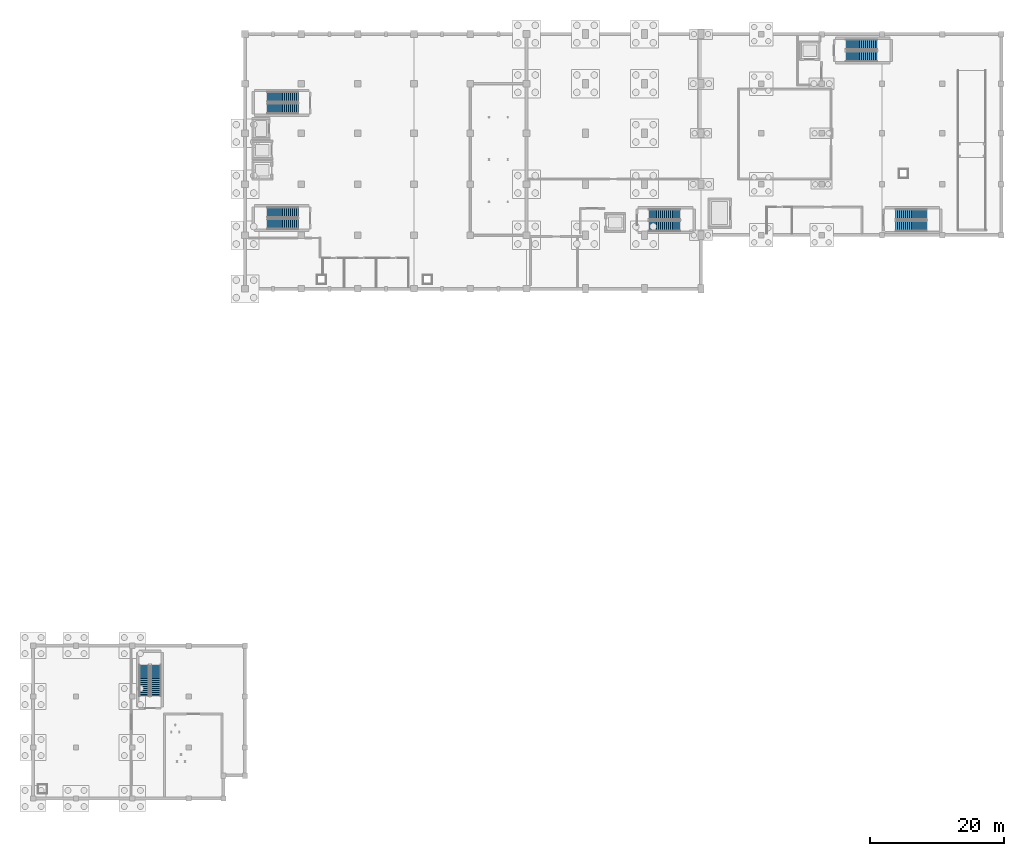
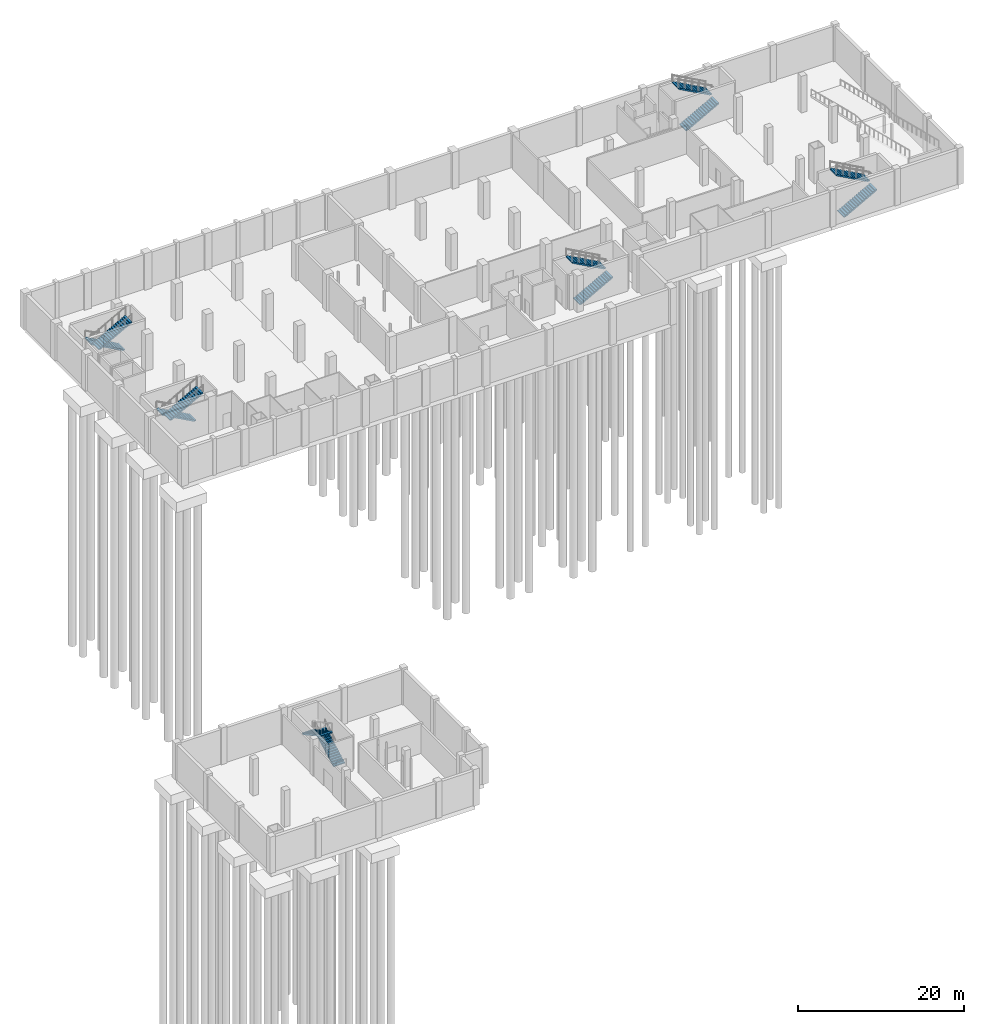
# One storey, part 15 of 20: 12 stair flights, 6 elements without a shape of their own.
"""IFC4 building model written with IfcOpenShell, lengths in metres."""

from ifc_helpers import new_model, si_unit, direction, frame, origin, place, context, subcontext, project, spatial, polyline, outline, extrude, material, layer, layer_set, type_object, element, aggregate, save


model = new_model("IFC4")

# Units and contexts
model_context = context("Model", 3, precision=1e-05, world=origin(), true_north=direction((0.0, 1.0)))
body_context = subcontext(model_context, "Body", "Model", "MODEL_VIEW")
ifc_project = project(units=[si_unit("LENGTHUNIT", "METRE"), si_unit("AREAUNIT", "SQUARE_METRE"), si_unit("VOLUMEUNIT", "CUBIC_METRE"), si_unit("PLANEANGLEUNIT", "RADIAN"), si_unit("MASSUNIT", "GRAM", prefix="KILO")], contexts=[model_context])

# Site, building, storey
site_placement = place(None, origin())
site = spatial("IfcSite", under=ifc_project, at=site_placement, CompositionType="ELEMENT")
building_placement = place(site_placement, origin())
building = spatial("IfcBuilding", under=site, at=building_placement, Name="Shengluoqiao Park Theatre", CompositionType="ELEMENT")
storey_placement = place(building_placement, frame((0.0, 0.0, -5.39990234375)))
storey = spatial("IfcBuildingStorey", under=building, at=storey_placement, Name="B1", CompositionType="ELEMENT", Elevation=-5.39990234375)

# Stair, stair flights
ifc_material = material(Name="Concrete C40", Category="concrete")
stair_type = type_object("IfcStairType", Name="INT-STR-CORE", PredefinedType="HALF_TURN_STAIR", material=ifc_material)
stair_1_placement = place(storey_placement, origin())
stair_1 = element("IfcStair", 1, at=stair_1_placement, inside=storey, type_object=stair_type, Name="B1 Auditorium South-West Escape Stair 02", PredefinedType="HALF_TURN_STAIR")
ifc_layer = layer(ifc_material, 0.159912109375, Name="Concrete C40")
ifc_layer_set = layer_set([ifc_layer], Name="Concrete C40")
stair_flight_type = type_object("IfcStairFlightType", Name="INT-SFL-156", PredefinedType="STRAIGHT", material=ifc_layer_set)
stair_flight_1_placement = place(storey_placement, frame((52.35009765625, 87.419921875, 0.0), z_axis=(0.0, 0.0, 1.0), x_axis=(-1.0, 0.0, 0.0)))
stair_flight_1 = element("IfcStairFlight", 2, at=stair_flight_1_placement, type_object=stair_flight_type, Name="ST-02 flight 1", NumberOfRisers=17, NumberOfTreads=16, PredefinedType="STRAIGHT", RiserHeight=0.158823529, TreadLength=0.29, context=body_context, shape_type="SweptSolid", body=[
    extrude(outline(polyline([(0.0, 0.0), (0.0, 0.158935546875), (0.2900390625, 0.158935546875), (0.2900390625, 0.317626953125), (0.580078125, 0.317626953125), (0.580078125, 0.4765625), (0.8701171875, 0.4765625), (0.8701171875, 0.63525390625), (1.159912109375, 0.63525390625), (1.159912109375, 0.794189453125), (1.449951171875, 0.794189453125), (1.449951171875, 0.952880859375), (1.739990234375, 0.952880859375), (1.739990234375, 1.11181640625), (2.030029296875, 1.11181640625), (2.030029296875, 1.2705078125), (2.320068359375, 1.2705078125), (2.320068359375, 1.429443359375), (2.610107421875, 1.429443359375), (2.610107421875, 1.588134765625), (2.89990234375, 1.588134765625), (2.89990234375, 1.7470703125), (3.18994140625, 1.7470703125), (3.18994140625, 1.90576171875), (3.47998046875, 1.90576171875), (3.47998046875, 2.064697265625), (3.77001953125, 2.064697265625), (3.77001953125, 2.2236328125), (4.06005859375, 2.2236328125), (4.06005859375, 2.38232421875), (4.35009765625, 2.38232421875), (4.35009765625, 2.541259765625), (4.639892578125, 2.541259765625), (4.639892578125, 2.699951171875), (4.639892578125, 2.370361328125), (0.31201171875, 0.0), (0.0, 0.0)])), frame((0.0, 0.780029296875, 0.0), z_axis=(0.0, -1.0, 0.0), x_axis=(1.0, 0.0, 0.0)), (0.0, 0.0, 1.0), 1.56005859375),
])
stair_flight_2_placement = place(storey_placement, frame((47.7099609375, 85.679931640625, 2.699951171875), z_axis=(0.0, 0.0, 1.0), x_axis=(1.0, 0.0, 0.0)))
stair_flight_2 = element("IfcStairFlight", 3, at=stair_flight_2_placement, type_object=stair_flight_type, Name="ST-02 flight 2", NumberOfRisers=17, NumberOfTreads=16, PredefinedType="STRAIGHT", RiserHeight=0.158823529, TreadLength=0.29, context=body_context, shape_type="SweptSolid", body=[
    extrude(outline(polyline([(0.0, 0.0), (0.0, 0.158935546875), (0.2900390625, 0.158935546875), (0.2900390625, 0.317626953125), (0.580078125, 0.317626953125), (0.580078125, 0.4765625), (0.8701171875, 0.4765625), (0.8701171875, 0.63525390625), (1.159912109375, 0.63525390625), (1.159912109375, 0.794189453125), (1.449951171875, 0.794189453125), (1.449951171875, 0.952880859375), (1.739990234375, 0.952880859375), (1.739990234375, 1.11181640625), (2.030029296875, 1.11181640625), (2.030029296875, 1.2705078125), (2.320068359375, 1.2705078125), (2.320068359375, 1.429443359375), (2.610107421875, 1.429443359375), (2.610107421875, 1.588134765625), (2.89990234375, 1.588134765625), (2.89990234375, 1.7470703125), (3.18994140625, 1.7470703125), (3.18994140625, 1.90576171875), (3.47998046875, 1.90576171875), (3.47998046875, 2.064697265625), (3.77001953125, 2.064697265625), (3.77001953125, 2.2236328125), (4.06005859375, 2.2236328125), (4.06005859375, 2.38232421875), (4.35009765625, 2.38232421875), (4.35009765625, 2.541259765625), (4.639892578125, 2.541259765625), (4.639892578125, 2.699951171875), (4.639892578125, 2.370361328125), (0.31201171875, 0.0), (0.0, 0.0)])), frame((0.0, 0.780029296875, 0.0), z_axis=(0.0, -1.0, 0.0), x_axis=(1.0, 0.0, 0.0)), (0.0, 0.0, 1.0), 1.56005859375),
])
aggregate(stair_1, [stair_flight_1, stair_flight_2])

stair_2_placement = place(storey_placement, origin())
stair_2 = element("IfcStair", 4, at=stair_2_placement, inside=storey, type_object=stair_type, Name="B1 Auditorium North-West Escape Stair 03", PredefinedType="HALF_TURN_STAIR")
stair_flight_3_placement = place(storey_placement, frame((52.35009765625, 104.6201171875, 0.0), z_axis=(0.0, 0.0, 1.0), x_axis=(-1.0, 0.0, 0.0)))
stair_flight_3 = element("IfcStairFlight", 5, at=stair_flight_3_placement, type_object=stair_flight_type, Name="ST-03 flight 1", NumberOfRisers=17, NumberOfTreads=16, PredefinedType="STRAIGHT", RiserHeight=0.158823529, TreadLength=0.29, context=body_context, shape_type="SweptSolid", body=[
    extrude(outline(polyline([(0.0, 0.0), (0.0, 0.158935546875), (0.2900390625, 0.158935546875), (0.2900390625, 0.317626953125), (0.580078125, 0.317626953125), (0.580078125, 0.4765625), (0.8701171875, 0.4765625), (0.8701171875, 0.63525390625), (1.159912109375, 0.63525390625), (1.159912109375, 0.794189453125), (1.449951171875, 0.794189453125), (1.449951171875, 0.952880859375), (1.739990234375, 0.952880859375), (1.739990234375, 1.11181640625), (2.030029296875, 1.11181640625), (2.030029296875, 1.2705078125), (2.320068359375, 1.2705078125), (2.320068359375, 1.429443359375), (2.610107421875, 1.429443359375), (2.610107421875, 1.588134765625), (2.89990234375, 1.588134765625), (2.89990234375, 1.7470703125), (3.18994140625, 1.7470703125), (3.18994140625, 1.90576171875), (3.47998046875, 1.90576171875), (3.47998046875, 2.064697265625), (3.77001953125, 2.064697265625), (3.77001953125, 2.2236328125), (4.06005859375, 2.2236328125), (4.06005859375, 2.38232421875), (4.35009765625, 2.38232421875), (4.35009765625, 2.541259765625), (4.639892578125, 2.541259765625), (4.639892578125, 2.699951171875), (4.639892578125, 2.370361328125), (0.31201171875, 0.0), (0.0, 0.0)])), frame((0.0, 0.780029296875, 0.0), z_axis=(0.0, -1.0, 0.0), x_axis=(1.0, 0.0, 0.0)), (0.0, 0.0, 1.0), 1.56005859375),
])
stair_flight_4_placement = place(storey_placement, frame((47.7099609375, 102.8798828125, 2.699951171875), z_axis=(0.0, 0.0, 1.0), x_axis=(1.0, 0.0, 0.0)))
stair_flight_4 = element("IfcStairFlight", 6, at=stair_flight_4_placement, type_object=stair_flight_type, Name="ST-03 flight 2", NumberOfRisers=17, NumberOfTreads=16, PredefinedType="STRAIGHT", RiserHeight=0.158823529, TreadLength=0.29, context=body_context, shape_type="SweptSolid", body=[
    extrude(outline(polyline([(0.0, 0.0), (0.0, 0.158935546875), (0.2900390625, 0.158935546875), (0.2900390625, 0.317626953125), (0.580078125, 0.317626953125), (0.580078125, 0.4765625), (0.8701171875, 0.4765625), (0.8701171875, 0.63525390625), (1.159912109375, 0.63525390625), (1.159912109375, 0.794189453125), (1.449951171875, 0.794189453125), (1.449951171875, 0.952880859375), (1.739990234375, 0.952880859375), (1.739990234375, 1.11181640625), (2.030029296875, 1.11181640625), (2.030029296875, 1.2705078125), (2.320068359375, 1.2705078125), (2.320068359375, 1.429443359375), (2.610107421875, 1.429443359375), (2.610107421875, 1.588134765625), (2.89990234375, 1.588134765625), (2.89990234375, 1.7470703125), (3.18994140625, 1.7470703125), (3.18994140625, 1.90576171875), (3.47998046875, 1.90576171875), (3.47998046875, 2.064697265625), (3.77001953125, 2.064697265625), (3.77001953125, 2.2236328125), (4.06005859375, 2.2236328125), (4.06005859375, 2.38232421875), (4.35009765625, 2.38232421875), (4.35009765625, 2.541259765625), (4.639892578125, 2.541259765625), (4.639892578125, 2.699951171875), (4.639892578125, 2.370361328125), (0.31201171875, 0.0), (0.0, 0.0)])), frame((0.0, 0.780029296875, 0.0), z_axis=(0.0, -1.0, 0.0), x_axis=(1.0, 0.0, 0.0)), (0.0, 0.0, 1.0), 1.56005859375),
])
aggregate(stair_2, [stair_flight_3, stair_flight_4])

stair_3_placement = place(storey_placement, origin())
stair_3 = element("IfcStair", 7, at=stair_3_placement, inside=storey, type_object=stair_type, Name="B1 Studio and Black-Box Escape Stair 04", PredefinedType="HALF_TURN_STAIR")
stair_flight_5_placement = place(storey_placement, frame((31.1201171875, 15.25, 0.0), z_axis=(0.0, 0.0, 1.0), x_axis=(0.0, 1.0, 0.0)))
stair_flight_5 = element("IfcStairFlight", 8, at=stair_flight_5_placement, type_object=stair_flight_type, Name="ST-04 flight 1", NumberOfRisers=17, NumberOfTreads=16, PredefinedType="STRAIGHT", RiserHeight=0.158823529, TreadLength=0.29, context=body_context, shape_type="SweptSolid", body=[
    extrude(outline(polyline([(0.0, 0.0), (0.0, 0.158935546875), (0.2900390625, 0.158935546875), (0.2900390625, 0.317626953125), (0.580078125, 0.317626953125), (0.580078125, 0.4765625), (0.8701171875, 0.4765625), (0.8701171875, 0.63525390625), (1.159912109375, 0.63525390625), (1.159912109375, 0.794189453125), (1.449951171875, 0.794189453125), (1.449951171875, 0.952880859375), (1.739990234375, 0.952880859375), (1.739990234375, 1.11181640625), (2.030029296875, 1.11181640625), (2.030029296875, 1.2705078125), (2.320068359375, 1.2705078125), (2.320068359375, 1.429443359375), (2.610107421875, 1.429443359375), (2.610107421875, 1.588134765625), (2.89990234375, 1.588134765625), (2.89990234375, 1.7470703125), (3.18994140625, 1.7470703125), (3.18994140625, 1.90576171875), (3.47998046875, 1.90576171875), (3.47998046875, 2.064697265625), (3.77001953125, 2.064697265625), (3.77001953125, 2.2236328125), (4.06005859375, 2.2236328125), (4.06005859375, 2.38232421875), (4.35009765625, 2.38232421875), (4.35009765625, 2.541259765625), (4.639892578125, 2.541259765625), (4.639892578125, 2.699951171875), (4.639892578125, 2.370361328125), (0.31201171875, 0.0), (0.0, 0.0)])), frame((0.0, 0.780029296875, 0.0), z_axis=(0.0, -1.0, 0.0), x_axis=(1.0, 0.0, 0.0)), (0.0, 0.0, 1.0), 1.56005859375),
])
stair_flight_6_placement = place(storey_placement, frame((29.3798828125, 19.889892578125, 2.699951171875), z_axis=(0.0, 0.0, 1.0), x_axis=(0.0, -1.0, 0.0)))
stair_flight_6 = element("IfcStairFlight", 9, at=stair_flight_6_placement, type_object=stair_flight_type, Name="ST-04 flight 2", NumberOfRisers=17, NumberOfTreads=16, PredefinedType="STRAIGHT", RiserHeight=0.158823529, TreadLength=0.29, context=body_context, shape_type="SweptSolid", body=[
    extrude(outline(polyline([(0.0, 0.0), (0.0, 0.158935546875), (0.2900390625, 0.158935546875), (0.2900390625, 0.317626953125), (0.580078125, 0.317626953125), (0.580078125, 0.4765625), (0.8701171875, 0.4765625), (0.8701171875, 0.63525390625), (1.159912109375, 0.63525390625), (1.159912109375, 0.794189453125), (1.449951171875, 0.794189453125), (1.449951171875, 0.952880859375), (1.739990234375, 0.952880859375), (1.739990234375, 1.11181640625), (2.030029296875, 1.11181640625), (2.030029296875, 1.2705078125), (2.320068359375, 1.2705078125), (2.320068359375, 1.429443359375), (2.610107421875, 1.429443359375), (2.610107421875, 1.588134765625), (2.89990234375, 1.588134765625), (2.89990234375, 1.7470703125), (3.18994140625, 1.7470703125), (3.18994140625, 1.90576171875), (3.47998046875, 1.90576171875), (3.47998046875, 2.064697265625), (3.77001953125, 2.064697265625), (3.77001953125, 2.2236328125), (4.06005859375, 2.2236328125), (4.06005859375, 2.38232421875), (4.35009765625, 2.38232421875), (4.35009765625, 2.541259765625), (4.639892578125, 2.541259765625), (4.639892578125, 2.699951171875), (4.639892578125, 2.370361328125), (0.31201171875, 0.0), (0.0, 0.0)])), frame((0.0, 0.780029296875, 0.0), z_axis=(0.0, -1.0, 0.0), x_axis=(1.0, 0.0, 0.0)), (0.0, 0.0, 1.0), 1.56005859375),
])
aggregate(stair_3, [stair_flight_5, stair_flight_6])

stair_4_placement = place(storey_placement, origin())
stair_4 = element("IfcStair", 10, at=stair_4_placement, inside=storey, type_object=stair_type, Name="B1 Stage and Fly Tower Escape Stair 05", PredefinedType="HALF_TURN_STAIR")
stair_flight_7_placement = place(storey_placement, frame((104.64990234375, 85.3798828125, 0.0), z_axis=(0.0, 0.0, 1.0), x_axis=(1.0, 0.0, 0.0)))
stair_flight_7 = element("IfcStairFlight", 11, at=stair_flight_7_placement, type_object=stair_flight_type, Name="ST-05 flight 1", NumberOfRisers=17, NumberOfTreads=16, PredefinedType="STRAIGHT", RiserHeight=0.158823529, TreadLength=0.29, context=body_context, shape_type="SweptSolid", body=[
    extrude(outline(polyline([(0.0, 0.0), (0.0, 0.158935546875), (0.2900390625, 0.158935546875), (0.2900390625, 0.317626953125), (0.580078125, 0.317626953125), (0.580078125, 0.4765625), (0.8701171875, 0.4765625), (0.8701171875, 0.63525390625), (1.159912109375, 0.63525390625), (1.159912109375, 0.794189453125), (1.449951171875, 0.794189453125), (1.449951171875, 0.952880859375), (1.739990234375, 0.952880859375), (1.739990234375, 1.11181640625), (2.030029296875, 1.11181640625), (2.030029296875, 1.2705078125), (2.320068359375, 1.2705078125), (2.320068359375, 1.429443359375), (2.610107421875, 1.429443359375), (2.610107421875, 1.588134765625), (2.89990234375, 1.588134765625), (2.89990234375, 1.7470703125), (3.18994140625, 1.7470703125), (3.18994140625, 1.90576171875), (3.47998046875, 1.90576171875), (3.47998046875, 2.064697265625), (3.77001953125, 2.064697265625), (3.77001953125, 2.2236328125), (4.06005859375, 2.2236328125), (4.06005859375, 2.38232421875), (4.35009765625, 2.38232421875), (4.35009765625, 2.541259765625), (4.639892578125, 2.541259765625), (4.639892578125, 2.699951171875), (4.639892578125, 2.370361328125), (0.31201171875, 0.0), (0.0, 0.0)])), frame((0.0, 0.780029296875, 0.0), z_axis=(0.0, -1.0, 0.0), x_axis=(1.0, 0.0, 0.0)), (0.0, 0.0, 1.0), 1.56005859375),
])
stair_flight_8_placement = place(storey_placement, frame((109.2900390625, 87.1201171875, 2.699951171875), z_axis=(0.0, 0.0, 1.0), x_axis=(-1.0, 0.0, 0.0)))
stair_flight_8 = element("IfcStairFlight", 12, at=stair_flight_8_placement, type_object=stair_flight_type, Name="ST-05 flight 2", NumberOfRisers=17, NumberOfTreads=16, PredefinedType="STRAIGHT", RiserHeight=0.158823529, TreadLength=0.29, context=body_context, shape_type="SweptSolid", body=[
    extrude(outline(polyline([(0.0, 0.0), (0.0, 0.158935546875), (0.2900390625, 0.158935546875), (0.2900390625, 0.317626953125), (0.580078125, 0.317626953125), (0.580078125, 0.4765625), (0.8701171875, 0.4765625), (0.8701171875, 0.63525390625), (1.159912109375, 0.63525390625), (1.159912109375, 0.794189453125), (1.449951171875, 0.794189453125), (1.449951171875, 0.952880859375), (1.739990234375, 0.952880859375), (1.739990234375, 1.11181640625), (2.030029296875, 1.11181640625), (2.030029296875, 1.2705078125), (2.320068359375, 1.2705078125), (2.320068359375, 1.429443359375), (2.610107421875, 1.429443359375), (2.610107421875, 1.588134765625), (2.89990234375, 1.588134765625), (2.89990234375, 1.7470703125), (3.18994140625, 1.7470703125), (3.18994140625, 1.90576171875), (3.47998046875, 1.90576171875), (3.47998046875, 2.064697265625), (3.77001953125, 2.064697265625), (3.77001953125, 2.2236328125), (4.06005859375, 2.2236328125), (4.06005859375, 2.38232421875), (4.35009765625, 2.38232421875), (4.35009765625, 2.541259765625), (4.639892578125, 2.541259765625), (4.639892578125, 2.699951171875), (4.639892578125, 2.370361328125), (0.31201171875, 0.0), (0.0, 0.0)])), frame((0.0, 0.780029296875, 0.0), z_axis=(0.0, -1.0, 0.0), x_axis=(1.0, 0.0, 0.0)), (0.0, 0.0, 1.0), 1.56005859375),
])
aggregate(stair_4, [stair_flight_7, stair_flight_8])

stair_5_placement = place(storey_placement, origin())
stair_5 = element("IfcStair", 13, at=stair_5_placement, inside=storey, type_object=stair_type, Name="B1 Backstage and Workshop Escape Stair 06", PredefinedType="HALF_TURN_STAIR")
stair_flight_9_placement = place(storey_placement, frame((134.050048828125, 110.679931640625, 0.0), z_axis=(0.0, 0.0, 1.0), x_axis=(1.0, 0.0, 0.0)))
stair_flight_9 = element("IfcStairFlight", 14, at=stair_flight_9_placement, type_object=stair_flight_type, Name="ST-06 flight 1", NumberOfRisers=17, NumberOfTreads=16, PredefinedType="STRAIGHT", RiserHeight=0.158823529, TreadLength=0.29, context=body_context, shape_type="SweptSolid", body=[
    extrude(outline(polyline([(0.0, 0.0), (0.0, 0.158935546875), (0.2900390625, 0.158935546875), (0.2900390625, 0.317626953125), (0.580078125, 0.317626953125), (0.580078125, 0.4765625), (0.8701171875, 0.4765625), (0.8701171875, 0.63525390625), (1.159912109375, 0.63525390625), (1.159912109375, 0.794189453125), (1.449951171875, 0.794189453125), (1.449951171875, 0.952880859375), (1.739990234375, 0.952880859375), (1.739990234375, 1.11181640625), (2.030029296875, 1.11181640625), (2.030029296875, 1.2705078125), (2.320068359375, 1.2705078125), (2.320068359375, 1.429443359375), (2.610107421875, 1.429443359375), (2.610107421875, 1.588134765625), (2.89990234375, 1.588134765625), (2.89990234375, 1.7470703125), (3.18994140625, 1.7470703125), (3.18994140625, 1.90576171875), (3.47998046875, 1.90576171875), (3.47998046875, 2.064697265625), (3.77001953125, 2.064697265625), (3.77001953125, 2.2236328125), (4.06005859375, 2.2236328125), (4.06005859375, 2.38232421875), (4.35009765625, 2.38232421875), (4.35009765625, 2.541259765625), (4.639892578125, 2.541259765625), (4.639892578125, 2.699951171875), (4.639892578125, 2.370361328125), (0.31201171875, 0.0), (0.0, 0.0)])), frame((0.0, 0.780029296875, 0.0), z_axis=(0.0, -1.0, 0.0), x_axis=(1.0, 0.0, 0.0)), (0.0, 0.0, 1.0), 1.56005859375),
])
stair_flight_10_placement = place(storey_placement, frame((138.68994140625, 112.419921875, 2.699951171875), z_axis=(0.0, 0.0, 1.0), x_axis=(-1.0, 0.0, 0.0)))
stair_flight_10 = element("IfcStairFlight", 15, at=stair_flight_10_placement, type_object=stair_flight_type, Name="ST-06 flight 2", NumberOfRisers=17, NumberOfTreads=16, PredefinedType="STRAIGHT", RiserHeight=0.158823529, TreadLength=0.29, context=body_context, shape_type="SweptSolid", body=[
    extrude(outline(polyline([(0.0, 0.0), (0.0, 0.158935546875), (0.2900390625, 0.158935546875), (0.2900390625, 0.317626953125), (0.580078125, 0.317626953125), (0.580078125, 0.4765625), (0.8701171875, 0.4765625), (0.8701171875, 0.63525390625), (1.159912109375, 0.63525390625), (1.159912109375, 0.794189453125), (1.449951171875, 0.794189453125), (1.449951171875, 0.952880859375), (1.739990234375, 0.952880859375), (1.739990234375, 1.11181640625), (2.030029296875, 1.11181640625), (2.030029296875, 1.2705078125), (2.320068359375, 1.2705078125), (2.320068359375, 1.429443359375), (2.610107421875, 1.429443359375), (2.610107421875, 1.588134765625), (2.89990234375, 1.588134765625), (2.89990234375, 1.7470703125), (3.18994140625, 1.7470703125), (3.18994140625, 1.90576171875), (3.47998046875, 1.90576171875), (3.47998046875, 2.064697265625), (3.77001953125, 2.064697265625), (3.77001953125, 2.2236328125), (4.06005859375, 2.2236328125), (4.06005859375, 2.38232421875), (4.35009765625, 2.38232421875), (4.35009765625, 2.541259765625), (4.639892578125, 2.541259765625), (4.639892578125, 2.699951171875), (4.639892578125, 2.370361328125), (0.31201171875, 0.0), (0.0, 0.0)])), frame((0.0, 0.780029296875, 0.0), z_axis=(0.0, -1.0, 0.0), x_axis=(1.0, 0.0, 0.0)), (0.0, 0.0, 1.0), 1.56005859375),
])
aggregate(stair_5, [stair_flight_9, stair_flight_10])

stair_6_placement = place(storey_placement, origin())
stair_6 = element("IfcStair", 16, at=stair_6_placement, inside=storey, type_object=stair_type, Name="B1 Upper Backstage Escape Stair 10", PredefinedType="HALF_TURN_STAIR")
stair_flight_11_placement = place(storey_placement, frame((141.449951171875, 85.3798828125, 0.0), z_axis=(0.0, 0.0, 1.0), x_axis=(1.0, 0.0, 0.0)))
stair_flight_11 = element("IfcStairFlight", 17, at=stair_flight_11_placement, type_object=stair_flight_type, Name="ST-10 flight 1", NumberOfRisers=17, NumberOfTreads=16, PredefinedType="STRAIGHT", RiserHeight=0.158823529, TreadLength=0.29, context=body_context, shape_type="SweptSolid", body=[
    extrude(outline(polyline([(0.0, 0.0), (0.0, 0.158935546875), (0.2900390625, 0.158935546875), (0.2900390625, 0.317626953125), (0.580078125, 0.317626953125), (0.580078125, 0.4765625), (0.8701171875, 0.4765625), (0.8701171875, 0.63525390625), (1.159912109375, 0.63525390625), (1.159912109375, 0.794189453125), (1.449951171875, 0.794189453125), (1.449951171875, 0.952880859375), (1.739990234375, 0.952880859375), (1.739990234375, 1.11181640625), (2.030029296875, 1.11181640625), (2.030029296875, 1.2705078125), (2.320068359375, 1.2705078125), (2.320068359375, 1.429443359375), (2.610107421875, 1.429443359375), (2.610107421875, 1.588134765625), (2.89990234375, 1.588134765625), (2.89990234375, 1.7470703125), (3.18994140625, 1.7470703125), (3.18994140625, 1.90576171875), (3.47998046875, 1.90576171875), (3.47998046875, 2.064697265625), (3.77001953125, 2.064697265625), (3.77001953125, 2.2236328125), (4.06005859375, 2.2236328125), (4.06005859375, 2.38232421875), (4.35009765625, 2.38232421875), (4.35009765625, 2.541259765625), (4.639892578125, 2.541259765625), (4.639892578125, 2.699951171875), (4.639892578125, 2.370361328125), (0.31201171875, 0.0), (0.0, 0.0)])), frame((0.0, 0.780029296875, 0.0), z_axis=(0.0, -1.0, 0.0), x_axis=(1.0, 0.0, 0.0)), (0.0, 0.0, 1.0), 1.56005859375),
])
stair_flight_12_placement = place(storey_placement, frame((146.090087890625, 87.1201171875, 2.699951171875), z_axis=(0.0, 0.0, 1.0), x_axis=(-1.0, 0.0, 0.0)))
stair_flight_12 = element("IfcStairFlight", 18, at=stair_flight_12_placement, type_object=stair_flight_type, Name="ST-10 flight 2", NumberOfRisers=17, NumberOfTreads=16, PredefinedType="STRAIGHT", RiserHeight=0.158823529, TreadLength=0.29, context=body_context, shape_type="SweptSolid", body=[
    extrude(outline(polyline([(0.0, 0.0), (0.0, 0.158935546875), (0.2900390625, 0.158935546875), (0.2900390625, 0.317626953125), (0.580078125, 0.317626953125), (0.580078125, 0.4765625), (0.8701171875, 0.4765625), (0.8701171875, 0.63525390625), (1.159912109375, 0.63525390625), (1.159912109375, 0.794189453125), (1.449951171875, 0.794189453125), (1.449951171875, 0.952880859375), (1.739990234375, 0.952880859375), (1.739990234375, 1.11181640625), (2.030029296875, 1.11181640625), (2.030029296875, 1.2705078125), (2.320068359375, 1.2705078125), (2.320068359375, 1.429443359375), (2.610107421875, 1.429443359375), (2.610107421875, 1.588134765625), (2.89990234375, 1.588134765625), (2.89990234375, 1.7470703125), (3.18994140625, 1.7470703125), (3.18994140625, 1.90576171875), (3.47998046875, 1.90576171875), (3.47998046875, 2.064697265625), (3.77001953125, 2.064697265625), (3.77001953125, 2.2236328125), (4.06005859375, 2.2236328125), (4.06005859375, 2.38232421875), (4.35009765625, 2.38232421875), (4.35009765625, 2.541259765625), (4.639892578125, 2.541259765625), (4.639892578125, 2.699951171875), (4.639892578125, 2.370361328125), (0.31201171875, 0.0), (0.0, 0.0)])), frame((0.0, 0.780029296875, 0.0), z_axis=(0.0, -1.0, 0.0), x_axis=(1.0, 0.0, 0.0)), (0.0, 0.0, 1.0), 1.56005859375),
])
aggregate(stair_6, [stair_flight_11, stair_flight_12])

save(model, "model.ifc")
